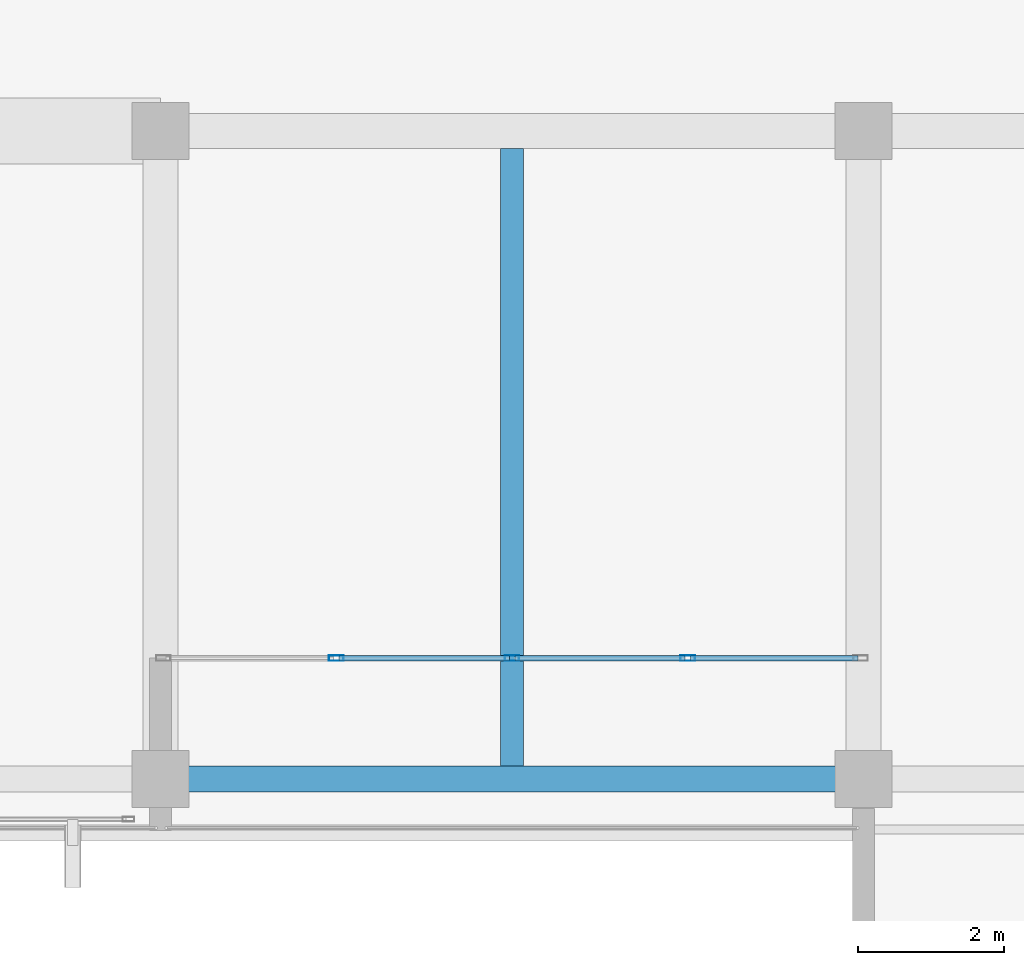
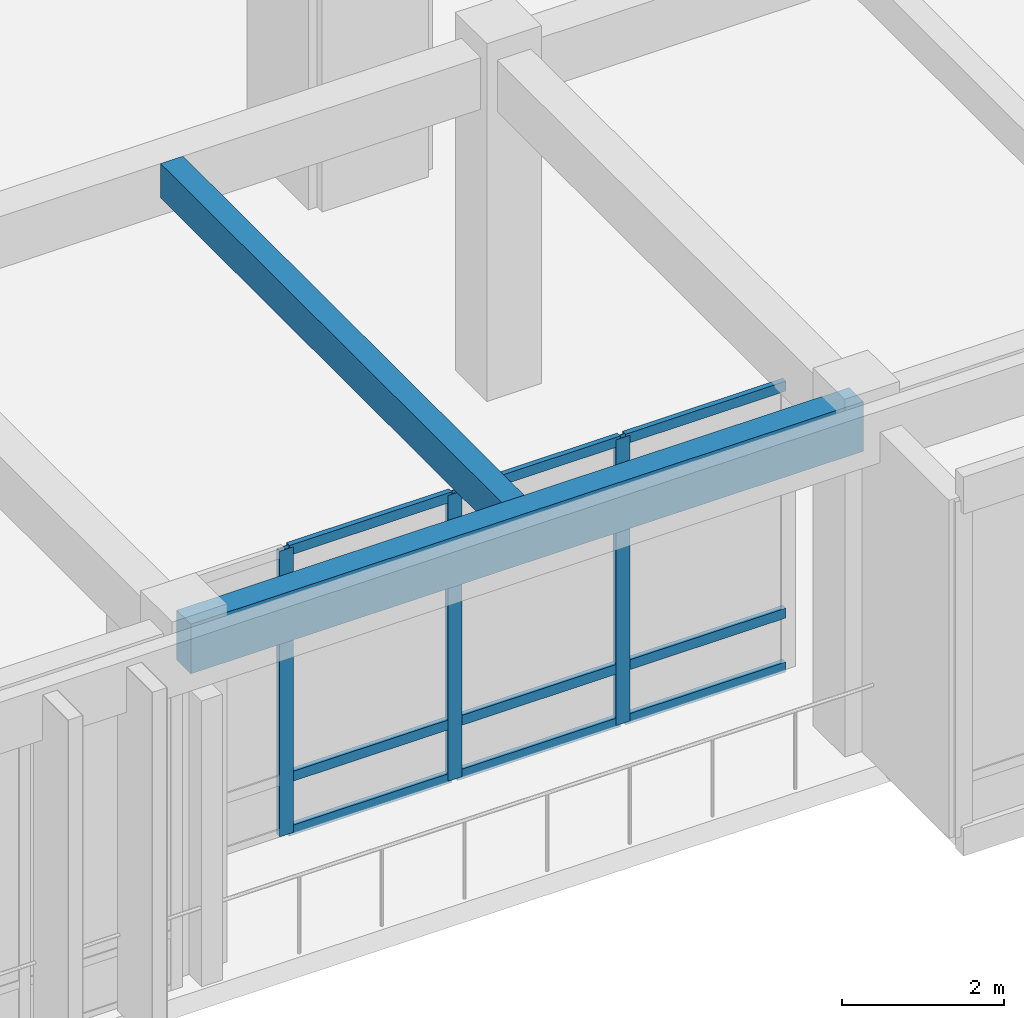
# One storey, part 16 of 134: 12 members, 2 beams, 1 element without a shape of its own.
"""IFC4 building model written with IfcOpenShell, lengths in metres."""

from ifc_helpers import new_model, si_unit, direction, frame, origin, origin_2d, place, context, subcontext, project, spatial, rectangle, hollow_rectangle, extrude, material, layer, layer_set, material_profile, profile_set, type_object, element, aggregate, save


model = new_model("IFC4")

# Units and contexts
model_context = context("Model", 3, precision=1e-05, world=origin(), true_north=direction((0.0, 1.0)))
body_context = subcontext(model_context, "Body", "Model", "MODEL_VIEW")
ifc_project = project(units=[si_unit("LENGTHUNIT", "METRE"), si_unit("AREAUNIT", "SQUARE_METRE"), si_unit("VOLUMEUNIT", "CUBIC_METRE"), si_unit("PLANEANGLEUNIT", "RADIAN"), si_unit("MASSUNIT", "GRAM", prefix="KILO")], contexts=[model_context])

# Site, building, storey
site_placement = place(None, origin())
site = spatial("IfcSite", under=ifc_project, at=site_placement, CompositionType="ELEMENT")
building_placement = place(site_placement, origin())
building = spatial("IfcBuilding", under=site, at=building_placement, Name="Nakhvara Creek Congress Hotel", CompositionType="ELEMENT")
storey_placement = place(building_placement, frame((0.0, 0.0, 6.0)))
storey = spatial("IfcBuildingStorey", under=building, at=storey_placement, Name="L01", CompositionType="ELEMENT", Elevation=6.0)

# Beams
ifc_material_1 = material(Name="Concrete C40/50", Category="concrete")
ifc_material_profile_1 = material_profile(ifc_material_1, rectangle(XDim=0.320068359375, YDim=0.52001953125, at=origin_2d()), Name="RC-BM 320x520", Category="LoadBearing")
ifc_profile_set_1 = profile_set([ifc_material_profile_1], Name="Concrete C40/50")
beam_type_1 = type_object("IfcBeamType", Name="BM-RC-320X520", PredefinedType="JOIST", material=ifc_profile_set_1)
beam_1_placement = place(storey_placement, frame((91.199951171875, 0.925048828125, 4.840087890625), z_axis=(0.0, 1.0, 0.0), x_axis=(-1.0, 0.0, 0.0)))
element("IfcBeam", 1, at=beam_1_placement, inside=storey, type_object=beam_type_1, Name="Secondary Joist BJ2-L01-1370", PredefinedType="JOIST", context=body_context, shape_type="SweptSolid", body=[
    extrude(rectangle(XDim=0.320068359375, YDim=0.52001953125, at=origin_2d()), origin(), (0.0, 0.0, 1.0), 8.43505859375),
])
ifc_material_profile_2 = material_profile(ifc_material_1, rectangle(XDim=0.35009765625, YDim=0.75, at=origin_2d()), Name="RC-SPANDREL 350x750", Category="LoadBearing")
ifc_profile_set_2 = profile_set([ifc_material_profile_2], Name="Concrete C40/50")
beam_type_2 = type_object("IfcBeamType", Name="BM-SPN-350X750", PredefinedType="SPANDREL", material=ifc_profile_set_2)
beam_2_placement = place(storey_placement, frame((86.39990234375, 0.75, 4.72509765625), z_axis=(1.0, 0.0, 0.0), x_axis=(0.0, 1.0, 0.0)))
element("IfcBeam", 2, at=beam_2_placement, inside=storey, type_object=beam_type_2, Name="Beam SP1-L01-1165", PredefinedType="SPANDREL", context=body_context, shape_type="SweptSolid", body=[
    extrude(rectangle(XDim=0.35009765625, YDim=0.75, at=origin_2d()), origin(), (0.0, 0.0, 1.0), 9.60009765625),
])

# Curtain wall, members
ifc_material_2 = material(Name="Bronze-anodised aluminium AW-6063-T6 and double-silver low-E glass", Category="aluminium")
ifc_layer = layer(ifc_material_2, 0.219970703125)
ifc_layer_set = layer_set([ifc_layer], Name="Bronze-anodised aluminium AW-6063-T6 and double-silver low-E glass")
curtain_wall_type = type_object("IfcCurtainWallType", Name="CW-BOX-REC", PredefinedType="USERDEFINED", material=ifc_layer_set)
curtain_wall_placement = place(storey_placement, origin())
curtain_wall = element("IfcCurtainWall", 3, at=curtain_wall_placement, inside=storey, type_object=curtain_wall_type, Name="Curtain Wall CW076", ObjectType="UNITISED", PredefinedType="USERDEFINED")
ifc_material_3 = material(Name="Bronze-anodised aluminium AW-6063-T6", Category="aluminium")
ifc_material_profile_3 = material_profile(ifc_material_3, hollow_rectangle(XDim=0.074951171875, YDim=0.199951171875, WallThickness=0.0048828125, at=origin_2d()), Name="ALU-MULL 75x200x5", Category="LoadBearing")
ifc_profile_set_3 = profile_set([ifc_material_profile_3], Name="Bronze-anodised aluminium AW-6063-T6")
member_type_1 = type_object("IfcMemberType", Name="CW-MULL-200", PredefinedType="MULLION", material=ifc_profile_set_3)
member_1_placement = place(storey_placement, frame((93.60009765625, 2.39990234375, 0.0), z_axis=(0.0, 0.0, 1.0), x_axis=(0.0, -1.0, 0.0)))
member_1 = element("IfcMember", 4, at=member_1_placement, type_object=member_type_1, Name="CW076 mullion 2", PredefinedType="MULLION", context=body_context, shape_type="SweptSolid", body=[
    extrude(hollow_rectangle(XDim=0.074951171875, YDim=0.199951171875, WallThickness=0.0048828125, at=origin_2d()), origin(), (0.0, 0.0, 1.0), 4.31201171875),
])
member_2_placement = place(storey_placement, frame((91.199951171875, 2.39990234375, 0.0), z_axis=(0.0, 0.0, 1.0), x_axis=(0.0, -1.0, 0.0)))
member_2 = element("IfcMember", 5, at=member_2_placement, type_object=member_type_1, Name="CW076 mullion 3", PredefinedType="MULLION", context=body_context, shape_type="SweptSolid", body=[
    extrude(hollow_rectangle(XDim=0.074951171875, YDim=0.199951171875, WallThickness=0.0048828125, at=origin_2d()), origin(), (0.0, 0.0, 1.0), 4.31201171875),
])
member_3_placement = place(storey_placement, frame((88.800048828125, 2.39990234375, 0.0), z_axis=(0.0, 0.0, 1.0), x_axis=(0.0, -1.0, 0.0)))
member_3 = element("IfcMember", 6, at=member_3_placement, type_object=member_type_1, Name="CW076 mullion 4", PredefinedType="MULLION", context=body_context, shape_type="SweptSolid", body=[
    extrude(hollow_rectangle(XDim=0.074951171875, YDim=0.199951171875, WallThickness=0.0048828125, at=origin_2d()), origin(), (0.0, 0.0, 1.0), 4.31201171875),
])
ifc_material_profile_4 = material_profile(ifc_material_3, hollow_rectangle(XDim=0.074951171875, YDim=0.14990234375, WallThickness=0.00390625, at=origin_2d()), Name="ALU-TRAN 75x150x4", Category="LoadBearing")
ifc_profile_set_4 = profile_set([ifc_material_profile_4], Name="Bronze-anodised aluminium AW-6063-T6")
member_type_2 = type_object("IfcMemberType", Name="CW-TRAN-150", PredefinedType="USERDEFINED", material=ifc_profile_set_4)
member_4_placement = place(storey_placement, frame((95.925048828125, 2.39990234375, 0.03759765625), z_axis=(-1.0, 0.0, 0.0), x_axis=(0.0, -1.0, 0.0)))
member_4 = element("IfcMember", 7, at=member_4_placement, type_object=member_type_2, Name="CW076 transom 1.1", ObjectType="TRANSOM", PredefinedType="USERDEFINED", context=body_context, shape_type="SweptSolid", body=[
    extrude(hollow_rectangle(XDim=0.074951171875, YDim=0.14990234375, WallThickness=0.00390625, at=origin_2d()), origin(), (0.0, 0.0, 1.0), 2.28759765625),
])
member_5_placement = place(storey_placement, frame((95.925048828125, 2.39990234375, 0.85009765625), z_axis=(-1.0, 0.0, 0.0), x_axis=(0.0, -1.0, 0.0)))
member_5 = element("IfcMember", 8, at=member_5_placement, type_object=member_type_2, Name="CW076 transom 1.2", ObjectType="TRANSOM", PredefinedType="USERDEFINED", context=body_context, shape_type="SweptSolid", body=[
    extrude(hollow_rectangle(XDim=0.074951171875, YDim=0.14990234375, WallThickness=0.00390625, at=origin_2d()), origin(), (0.0, 0.0, 1.0), 2.28759765625),
])
member_6_placement = place(storey_placement, frame((95.925048828125, 2.39990234375, 4.2744140625), z_axis=(-1.0, 0.0, 0.0), x_axis=(0.0, -1.0, 0.0)))
member_6 = element("IfcMember", 9, at=member_6_placement, type_object=member_type_2, Name="CW076 transom 1.3", ObjectType="TRANSOM", PredefinedType="USERDEFINED", context=body_context, shape_type="SweptSolid", body=[
    extrude(hollow_rectangle(XDim=0.074951171875, YDim=0.14990234375, WallThickness=0.00390625, at=origin_2d()), origin(), (0.0, 0.0, 1.0), 2.28759765625),
])
member_7_placement = place(storey_placement, frame((93.5625, 2.39990234375, 0.03759765625), z_axis=(-1.0, 0.0, 0.0), x_axis=(0.0, -1.0, 0.0)))
member_7 = element("IfcMember", 10, at=member_7_placement, type_object=member_type_2, Name="CW076 transom 2.1", ObjectType="TRANSOM", PredefinedType="USERDEFINED", context=body_context, shape_type="SweptSolid", body=[
    extrude(hollow_rectangle(XDim=0.074951171875, YDim=0.14990234375, WallThickness=0.00390625, at=origin_2d()), origin(), (0.0, 0.0, 1.0), 2.324951171875),
])
member_8_placement = place(storey_placement, frame((93.5625, 2.39990234375, 0.85009765625), z_axis=(-1.0, 0.0, 0.0), x_axis=(0.0, -1.0, 0.0)))
member_8 = element("IfcMember", 11, at=member_8_placement, type_object=member_type_2, Name="CW076 transom 2.2", ObjectType="TRANSOM", PredefinedType="USERDEFINED", context=body_context, shape_type="SweptSolid", body=[
    extrude(hollow_rectangle(XDim=0.074951171875, YDim=0.14990234375, WallThickness=0.00390625, at=origin_2d()), origin(), (0.0, 0.0, 1.0), 2.324951171875),
])
member_9_placement = place(storey_placement, frame((93.5625, 2.39990234375, 4.2744140625), z_axis=(-1.0, 0.0, 0.0), x_axis=(0.0, -1.0, 0.0)))
member_9 = element("IfcMember", 12, at=member_9_placement, type_object=member_type_2, Name="CW076 transom 2.3", ObjectType="TRANSOM", PredefinedType="USERDEFINED", context=body_context, shape_type="SweptSolid", body=[
    extrude(hollow_rectangle(XDim=0.074951171875, YDim=0.14990234375, WallThickness=0.00390625, at=origin_2d()), origin(), (0.0, 0.0, 1.0), 2.324951171875),
])
member_10_placement = place(storey_placement, frame((91.16259765625, 2.39990234375, 0.03759765625), z_axis=(-1.0, 0.0, 0.0), x_axis=(0.0, -1.0, 0.0)))
member_10 = element("IfcMember", 13, at=member_10_placement, type_object=member_type_2, Name="CW076 transom 3.1", ObjectType="TRANSOM", PredefinedType="USERDEFINED", context=body_context, shape_type="SweptSolid", body=[
    extrude(hollow_rectangle(XDim=0.074951171875, YDim=0.14990234375, WallThickness=0.00390625, at=origin_2d()), origin(), (0.0, 0.0, 1.0), 2.3251953125),
])
member_11_placement = place(storey_placement, frame((91.16259765625, 2.39990234375, 0.85009765625), z_axis=(-1.0, 0.0, 0.0), x_axis=(0.0, -1.0, 0.0)))
member_11 = element("IfcMember", 14, at=member_11_placement, type_object=member_type_2, Name="CW076 transom 3.2", ObjectType="TRANSOM", PredefinedType="USERDEFINED", context=body_context, shape_type="SweptSolid", body=[
    extrude(hollow_rectangle(XDim=0.074951171875, YDim=0.14990234375, WallThickness=0.00390625, at=origin_2d()), origin(), (0.0, 0.0, 1.0), 2.3251953125),
])
member_12_placement = place(storey_placement, frame((91.16259765625, 2.39990234375, 4.2744140625), z_axis=(-1.0, 0.0, 0.0), x_axis=(0.0, -1.0, 0.0)))
member_12 = element("IfcMember", 15, at=member_12_placement, type_object=member_type_2, Name="CW076 transom 3.3", ObjectType="TRANSOM", PredefinedType="USERDEFINED", context=body_context, shape_type="SweptSolid", body=[
    extrude(hollow_rectangle(XDim=0.074951171875, YDim=0.14990234375, WallThickness=0.00390625, at=origin_2d()), origin(), (0.0, 0.0, 1.0), 2.3251953125),
])
aggregate(curtain_wall, [member_1, member_2, member_3, member_4, member_5, member_6, member_7, member_8, member_9, member_10, member_11, member_12])

save(model, "model.ifc")
